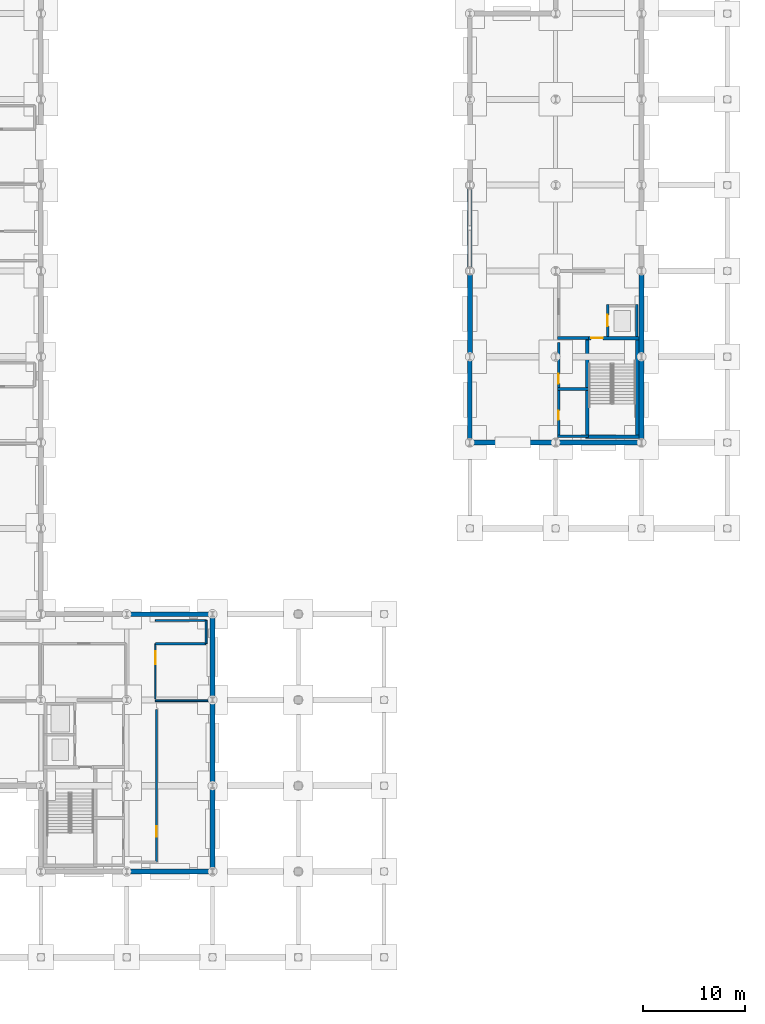
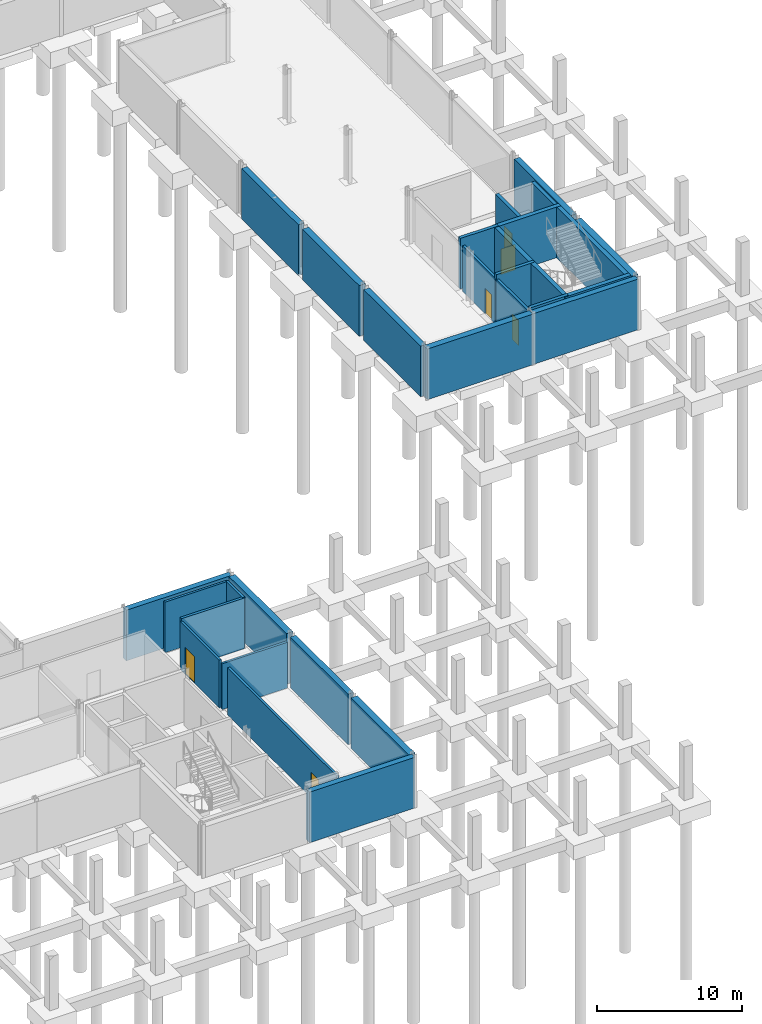
# One storey, part 31 of 43: 29 walls, 6 doors, 6 openings.
"""IFC4 building model written with IfcOpenShell, lengths in metres."""

from ifc_helpers import new_model, si_unit, direction, frame, frame_2d, origin, place, context, subcontext, project, spatial, rectangle, extrude, material, layer, layer_set, type_object, element, fill, save


model = new_model("IFC4")

# Units and contexts
model_context = context("Model", 3, precision=1e-05, world=origin(), true_north=direction((0.0, 1.0)))
body_context = subcontext(model_context, "Body", "Model", "MODEL_VIEW")
ifc_project = project(units=[si_unit("LENGTHUNIT", "METRE"), si_unit("AREAUNIT", "SQUARE_METRE"), si_unit("VOLUMEUNIT", "CUBIC_METRE"), si_unit("PLANEANGLEUNIT", "RADIAN"), si_unit("MASSUNIT", "GRAM", prefix="KILO")], contexts=[model_context])

# Site, building, storey
site_placement = place(None, origin())
site = spatial("IfcSite", under=ifc_project, at=site_placement, CompositionType="ELEMENT")
building_placement = place(site_placement, origin())
building = spatial("IfcBuilding", under=site, at=building_placement, Name="Mersafa Astral City Hall", CompositionType="ELEMENT")
storey_placement = place(building_placement, frame((0.0, 0.0, -4.5)))
storey = spatial("IfcBuildingStorey", under=building, at=storey_placement, Name="B1", CompositionType="ELEMENT", Elevation=-4.5)

# Walls
ifc_material_1 = material(Name="Concrete C40/50", Category="concrete")
ifc_layer_1 = layer(ifc_material_1, 0.449951171875, Name="Concrete C40/50")
ifc_layer_set_1 = layer_set([ifc_layer_1], Name="Concrete C40/50 — ENV-WAL-RET-450")
wall_type_1 = type_object("IfcWallType", Name="ENV-WAL-RET-450", PredefinedType="USERDEFINED", material=ifc_layer_set_1)
wall_1_placement = place(storey_placement, frame((134.39208984375, 33.60009765625, 0.0), z_axis=(0.0, 0.0, 1.0), x_axis=(-1.0, 0.0, 0.0)))
element("IfcWall", 1, at=wall_1_placement, inside=storey, type_object=wall_type_1, Name="B1 Perimeter retaining wall 1", ObjectType="RETAININGWALL", PredefinedType="USERDEFINED", context=body_context, shape_type="SweptSolid", body=[
    extrude(rectangle(XDim=8.384033203125, YDim=0.449951171875, at=frame_2d((4.19189453125, 0.0))), origin(), (0.0, 0.0, 1.0), 4.25),
])
for number, where, z_axis, x_axis, name in (
    (2, (159.60009765625, 75.31494140625, 0.0), (0.0, 0.0, 1.0), (0.0, -1.0, 0.0), "B1 Perimeter retaining wall 25"),
    (3, (159.60009765625, 58.514892578125, 0.0), (0.0, 0.0, 1.0), (0.0, -1.0, 0.0), "B1 Perimeter retaining wall 27"),
):
    element("IfcWall", number, at=place(storey_placement, frame(where, z_axis=z_axis, x_axis=x_axis)), inside=storey, type_object=wall_type_1, Name=name, ObjectType="RETAININGWALL", PredefinedType="USERDEFINED", context=body_context, shape_type="SweptSolid", body=[
        extrude(rectangle(XDim=7.829833984375, YDim=0.449951171875, at=frame_2d((3.9150390625, 0.0))), origin(), (0.0, 0.0, 1.0), 4.25),
    ])
wall_2_placement = place(storey_placement, frame((168.008056640625, 50.39990234375, 0.0), z_axis=(0.0, 0.0, 1.0), x_axis=(1.0, 0.0, 0.0)))
element("IfcWall", 4, at=wall_2_placement, inside=storey, type_object=wall_type_1, Name="B1 Perimeter retaining wall 29", ObjectType="RETAININGWALL", PredefinedType="USERDEFINED", context=body_context, shape_type="SweptSolid", body=[
    extrude(rectangle(XDim=8.384033203125, YDim=0.449951171875, at=frame_2d((4.19189453125, 0.0))), origin(), (0.0, 0.0, 1.0), 4.25),
])
wall_3_placement = place(storey_placement, frame((176.39990234375, 59.0849609375, 0.0), z_axis=(0.0, 0.0, 1.0), x_axis=(0.0, 1.0, 0.0)))
element("IfcWall", 5, at=wall_3_placement, inside=storey, type_object=wall_type_1, Name="B1 Perimeter retaining wall 31", ObjectType="RETAININGWALL", PredefinedType="USERDEFINED", context=body_context, shape_type="SweptSolid", body=[
    extrude(rectangle(XDim=7.830078125, YDim=0.449951171875, at=frame_2d((3.9150390625, 0.0))), origin(), (0.0, 0.0, 1.0), 4.25),
])
wall_4_placement = place(storey_placement, frame((126.008056640625, 8.39990234375, 0.0), z_axis=(0.0, 0.0, 1.0), x_axis=(1.0, 0.0, 0.0)))
element("IfcWall", 6, at=wall_4_placement, inside=storey, type_object=wall_type_1, Name="B1 Perimeter retaining wall 101", ObjectType="RETAININGWALL", PredefinedType="USERDEFINED", context=body_context, shape_type="SweptSolid", body=[
    extrude(rectangle(XDim=8.384033203125, YDim=0.449951171875, at=frame_2d((4.19189453125, 0.0))), origin(), (0.0, 0.0, 1.0), 4.25),
])
wall_5_placement = place(storey_placement, frame((134.39990234375, 17.034912109375, 0.0), z_axis=(0.0, 0.0, 1.0), x_axis=(0.0, 1.0, 0.0)))
element("IfcWall", 7, at=wall_5_placement, inside=storey, type_object=wall_type_1, Name="B1 Perimeter retaining wall 103", ObjectType="RETAININGWALL", PredefinedType="USERDEFINED", context=body_context, shape_type="SweptSolid", body=[
    extrude(rectangle(XDim=7.93017578125, YDim=0.449951171875, at=frame_2d((3.965087890625, 0.0))), origin(), (0.0, 0.0, 1.0), 4.25),
])
ifc_layer_2 = layer(ifc_material_1, 0.5, Name="Concrete C40/50")
ifc_layer_set_2 = layer_set([ifc_layer_2], Name="Concrete C40/50 — ENV-WAL-RET-500")
wall_type_2 = type_object("IfcWallType", Name="ENV-WAL-RET-500", PredefinedType="USERDEFINED", material=ifc_layer_set_2)
wall_6_placement = place(storey_placement, frame((159.60009765625, 66.9150390625, 0.0), z_axis=(0.0, 0.0, 1.0), x_axis=(0.0, -1.0, 0.0)))
element("IfcWall", 8, at=wall_6_placement, inside=storey, type_object=wall_type_2, Name="B1 Perimeter retaining wall 26", ObjectType="RETAININGWALL", PredefinedType="USERDEFINED", context=body_context, shape_type="SweptSolid", body=[
    extrude(rectangle(XDim=7.830078125, YDim=0.5, at=frame_2d((3.9150390625, 0.0))), origin(), (0.0, 0.0, 1.0), 4.25),
])
wall_7_placement = place(storey_placement, frame((159.60791015625, 50.39990234375, 0.0), z_axis=(0.0, 0.0, 1.0), x_axis=(1.0, 0.0, 0.0)))
element("IfcWall", 9, at=wall_7_placement, inside=storey, type_object=wall_type_2, Name="B1 Perimeter retaining wall 28", ObjectType="RETAININGWALL", PredefinedType="USERDEFINED", context=body_context, shape_type="SweptSolid", body=[
    extrude(rectangle(XDim=8.384033203125, YDim=0.5, at=frame_2d((4.19189453125, 0.0))), origin(), (0.0, 0.0, 1.0), 4.25),
])
for number, where, z_axis, x_axis, name in (
    (10, (134.39990234375, 8.635009765625, 0.0), (0.0, 0.0, 1.0), (0.0, 1.0, 0.0), "B1 Perimeter retaining wall 102"),
    (11, (134.39990234375, 25.43505859375, 0.0), (0.0, 0.0, 1.0), (0.0, 1.0, 0.0), "B1 Perimeter retaining wall 104"),
):
    element("IfcWall", number, at=place(storey_placement, frame(where, z_axis=z_axis, x_axis=x_axis)), inside=storey, type_object=wall_type_2, Name=name, ObjectType="RETAININGWALL", PredefinedType="USERDEFINED", context=body_context, shape_type="SweptSolid", body=[
        extrude(rectangle(XDim=7.929931640625, YDim=0.5, at=frame_2d((3.96484375, 0.0))), origin(), (0.0, 0.0, 1.0), 4.25),
    ])
wall_8_placement = place(storey_placement, frame((176.39990234375, 50.68505859375, 0.0), z_axis=(0.0, 0.0, 1.0), x_axis=(0.0, 1.0, 0.0)))
element("IfcWall", 12, at=wall_8_placement, inside=storey, type_object=wall_type_2, Name="B1 Perimeter retaining wall 30", ObjectType="RETAININGWALL", PredefinedType="USERDEFINED", context=body_context, shape_type="SweptSolid", body=[
    extrude(rectangle(XDim=7.829833984375, YDim=0.5, at=frame_2d((3.9150390625, 0.0))), origin(), (0.0, 0.0, 1.0), 4.25),
])
ifc_layer_3 = layer(ifc_material_1, 0.260009765625, Name="Concrete C40/50")
ifc_layer_set_3 = layer_set([ifc_layer_3], Name="Concrete C40/50 — INT-WAL-CORE-260")
wall_type_3 = type_object("IfcWallType", Name="INT-WAL-CORE-260", PredefinedType="SHEAR", material=ifc_layer_set_3)
wall_9_placement = place(storey_placement, frame((175.955078125, 60.797119140625, 0.0), z_axis=(0.0, 0.0, 1.0), x_axis=(0.0, 1.0, 0.0)))
element("IfcWall", 13, at=wall_9_placement, inside=storey, type_object=wall_type_3, Name="B1 Lift LF6 back shaft wall", PredefinedType="SHEAR", context=body_context, shape_type="SweptSolid", body=[
    extrude(rectangle(XDim=3.117919921875, YDim=0.260009765625, at=frame_2d((1.55908203125, 0.0))), origin(), (0.0, 0.0, 1.0), 4.25),
])

# Wall, opening, door
wall_10_placement = place(storey_placement, frame((173.0849609375, 60.797119140625, 0.0), z_axis=(0.0, 0.0, 1.0), x_axis=(0.0, 1.0, 0.0)))
wall_10 = element("IfcWall", 14, at=wall_10_placement, inside=storey, type_object=wall_type_3, Name="B1 Lift LF6 front shaft wall", PredefinedType="SHEAR", context=body_context, shape_type="SweptSolid", body=[
    extrude(rectangle(XDim=3.117919921875, YDim=0.260009765625, at=frame_2d((1.55908203125, 0.0))), origin(), (0.0, 0.0, 1.0), 4.25),
])
opening_1_placement = place(wall_10_placement, frame((1.009033203125, 0.0, 0.0)))
opening_1 = element("IfcOpeningElement", 15, at=opening_1_placement, cuts=wall_10, Name="Opening LD-1", PredefinedType="OPENING", context=body_context, shape_type="SweptSolid", body=[
    extrude(rectangle(XDim=1.10009765625, YDim=2.14990234375, at=frame_2d((0.550048828125, 1.074951171875))), frame((0.0, 0.139892578125, 0.0), z_axis=(0.0, -1.0, 0.0), x_axis=(1.0, 0.0, 0.0)), (0.0, 0.0, 1.0), 0.280029296875),
])
ifc_material_2 = material(Name="Stainless steel sliding lift landing door", Category="steel")
door_type_1 = type_object("IfcDoorType", Name="INT-DR-LIFT-LD1", OperationType="NOTDEFINED", PredefinedType="DOOR", material=ifc_material_2)
door_1_placement = place(opening_1_placement, origin())
door_1 = element("IfcDoor", 16, at=door_1_placement, inside=storey, type_object=door_type_1, Name="Elevator LF6 Sliding Landing Door B1", OperationType="DOUBLE_DOOR_SLIDING", OverallHeight=2.14990234375, OverallWidth=1.10009765625, PredefinedType="DOOR", context=body_context, shape_type="SweptSolid", body=[
    extrude(rectangle(XDim=1.10009765625, YDim=2.14990234375, at=frame_2d((0.550048828125, 1.074951171875))), frame((0.0, 0.02490234375, 0.0), z_axis=(0.0, -1.0, 0.0), x_axis=(1.0, 0.0, 0.0)), (0.0, 0.0, 1.0), 0.050048828125),
])
fill(opening_1, door_1)

# Walls
for number, where, z_axis, x_axis, name in (
    (17, (168.199951171875, 51.02001953125, 0.0), (0.0, 0.0, 1.0), (1.0, 0.0, 0.0), "B1 Core K4 riser south wall"),
    (18, (168.199951171875, 55.635009765625, 0.0), (0.0, 0.0, 1.0), (1.0, 0.0, 0.0), "B1 Core K4 riser-restroom divider wall"),
    (19, (168.199951171875, 60.635009765625, 0.0), (0.0, 0.0, 1.0), (1.0, 0.0, 0.0), "B1 Core K4 restroom-lobby divider wall"),
):
    element("IfcWall", number, at=place(storey_placement, frame(where, z_axis=z_axis, x_axis=x_axis)), inside=storey, type_object=wall_type_3, Name=name, PredefinedType="SHEAR", context=body_context, shape_type="SweptSolid", body=[
        extrude(rectangle(XDim=3.03515625, YDim=0.260009765625, at=frame_2d((1.517578125, 0.0))), origin(), (0.0, 0.0, 1.0), 4.25),
    ])
ifc_layer_4 = layer(ifc_material_1, 0.340087890625, Name="Concrete C40/50")
ifc_layer_set_4 = layer_set([ifc_layer_4], Name="Concrete C40/50 — INT-WAL-CORE-340")
wall_type_4 = type_object("IfcWallType", Name="INT-WAL-CORE-340", PredefinedType="SHEAR", material=ifc_layer_set_4)
for number, where, z_axis, x_axis, name in (
    (20, (171.0849609375, 50.804931640625, 0.0), (0.0, 0.0, 1.0), (0.0, 1.0, 0.0), "B1 Core K4 stair west shear wall"),
    (21, (175.9951171875, 50.804931640625, 0.0), (0.0, 0.0, 1.0), (0.0, 1.0, 0.0), "B1 Core K4 stair east shear wall"),
):
    element("IfcWall", number, at=place(storey_placement, frame(where, z_axis=z_axis, x_axis=x_axis)), inside=storey, type_object=wall_type_4, Name=name, PredefinedType="SHEAR", context=body_context, shape_type="SweptSolid", body=[
        extrude(rectangle(XDim=9.989990234375, YDim=0.340087890625, at=frame_2d((4.9951171875, 0.0))), origin(), (0.0, 0.0, 1.0), 4.25),
    ])
wall_11_placement = place(storey_placement, frame((170.9150390625, 50.97509765625, 0.0), z_axis=(0.0, 0.0, 1.0), x_axis=(1.0, 0.0, 0.0)))
element("IfcWall", 22, at=wall_11_placement, inside=storey, type_object=wall_type_4, Name="B1 Core K4 stair south shear wall", PredefinedType="SHEAR", context=body_context, shape_type="SweptSolid", body=[
    extrude(rectangle(XDim=5.25, YDim=0.340087890625, at=frame_2d((2.625, 0.0))), origin(), (0.0, 0.0, 1.0), 4.25),
])

# Wall, opening, door
wall_12_placement = place(storey_placement, frame((170.9150390625, 60.625, 0.0), z_axis=(0.0, 0.0, 1.0), x_axis=(1.0, 0.0, 0.0)))
wall_12 = element("IfcWall", 23, at=wall_12_placement, inside=storey, type_object=wall_type_4, Name="B1 Core K4 stair-lobby fire wall", PredefinedType="SHEAR", context=body_context, shape_type="SweptSolid", body=[
    extrude(rectangle(XDim=5.25, YDim=0.340087890625, at=frame_2d((2.625, 0.0))), origin(), (0.0, 0.0, 1.0), 4.25),
])
opening_2_placement = place(wall_12_placement, frame((0.56494140625, 0.0, 0.0)))
opening_2 = element("IfcOpeningElement", 24, at=opening_2_placement, cuts=wall_12, Name="Opening CD-1", PredefinedType="OPENING", context=body_context, shape_type="SweptSolid", body=[
    extrude(rectangle(XDim=1.14990234375, YDim=2.14990234375, at=frame_2d((0.574951171875, 1.074951171875))), frame((0.0, 0.179931640625, 0.0), z_axis=(0.0, -1.0, 0.0), x_axis=(1.0, 0.0, 0.0)), (0.0, 0.0, 1.0), 0.360107421875),
])
ifc_material_3 = material(Name="Fire-rated steel stair door", Category="steel")
door_type_2 = type_object("IfcDoorType", Name="INT-DR-STAIR-FD90-1150", OperationType="NOTDEFINED", PredefinedType="DOOR", material=ifc_material_3)
door_2_placement = place(opening_2_placement, origin())
door_2 = element("IfcDoor", 25, at=door_2_placement, inside=storey, type_object=door_type_2, Name="B1 Protected Stair ST4 Door", OperationType="SINGLE_SWING_LEFT", OverallHeight=2.14990234375, OverallWidth=1.14990234375, PredefinedType="DOOR", context=body_context, shape_type="SweptSolid", body=[
    extrude(rectangle(XDim=1.14990234375, YDim=2.14990234375, at=frame_2d((0.574951171875, 1.074951171875))), frame((0.0, 0.02490234375, 0.0), z_axis=(0.0, -1.0, 0.0), x_axis=(1.0, 0.0, 0.0)), (0.0, 0.0, 1.0), 0.050048828125),
])
fill(opening_2, door_2)

ifc_material_4 = material(Name="Fire-rated gypsum stud partition", Category="gypsum")
ifc_layer_5 = layer(ifc_material_4, 0.1650390625, Name="Fire-rated gypsum stud partition")
ifc_layer_set_5 = layer_set([ifc_layer_5], Name="Fire-rated gypsum stud partition — INT-WAL-PART-EI60-165")
wall_type_5 = type_object("IfcWallType", Name="INT-WAL-PART-EI60-165", PredefinedType="STANDARD", material=ifc_layer_set_5)
wall_13_placement = place(storey_placement, frame((128.800048828125, 25.2900390625, -0.00390625), z_axis=(0.0, 0.0, 1.0), x_axis=(0.0, 1.0, 0.0)))
wall_13 = element("IfcWall", 26, at=wall_13_placement, inside=storey, type_object=wall_type_5, Name="B1 Interior partition wall 99", PredefinedType="STANDARD", context=body_context, shape_type="SweptSolid", body=[
    extrude(rectangle(XDim=5.409912109375, YDim=0.1650390625, at=frame_2d((2.705078125, 0.0))), origin(), (0.0, 0.0, 1.0), 4.015869140625),
])
opening_3_placement = place(wall_13_placement, frame((3.41748046875, 0.0, 0.014892578125)))
opening_3 = element("IfcOpeningElement", 27, at=opening_3_placement, cuts=wall_13, Name="Opening D-24", PredefinedType="OPENING", context=body_context, shape_type="SweptSolid", body=[
    extrude(rectangle(XDim=1.280029296875, YDim=2.219970703125, at=frame_2d((0.64013671875, 1.10986328125))), frame((0.0, 0.092529296875, 0.0), z_axis=(0.0, -1.0, 0.0), x_axis=(1.0, 0.0, 0.0)), (0.0, 0.0, 1.0), 0.18505859375),
])
ifc_material_5 = material(Name="Cedar veneered acoustic fire-rated timber door", Category="wood")
door_type_3 = type_object("IfcDoorType", Name="INT-DR-RM-D-24", OperationType="NOTDEFINED", PredefinedType="DOOR", material=ifc_material_5)
door_3_placement = place(opening_3_placement, origin())
door_3 = element("IfcDoor", 28, at=door_3_placement, inside=storey, type_object=door_type_3, Name="B1 Municipal Records Conservation Workshop B1-23 Entrance Door", OperationType="SINGLE_SWING_RIGHT", OverallHeight=2.219970703125, OverallWidth=1.280029296875, PredefinedType="DOOR", context=body_context, shape_type="SweptSolid", body=[
    extrude(rectangle(XDim=1.280029296875, YDim=2.219970703125, at=frame_2d((0.64013671875, 1.10986328125))), frame((0.0, 0.02490234375, 0.0), z_axis=(0.0, -1.0, 0.0), x_axis=(1.0, 0.0, 0.0)), (0.0, 0.0, 1.0), 0.050048828125),
])
fill(opening_3, door_3)

# Walls
ifc_material_6 = material(Name="Acoustic twin-stud gypsum partition", Category="gypsum")
ifc_layer_6 = layer(ifc_material_6, 0.179931640625, Name="Acoustic twin-stud gypsum partition")
ifc_layer_set_6 = layer_set([ifc_layer_6], Name="Acoustic twin-stud gypsum partition — INT-WAL-PART-EI60-180")
wall_type_6 = type_object("IfcWallType", Name="INT-WAL-PART-EI60-180", PredefinedType="STANDARD", material=ifc_layer_set_6)
wall_14_placement = place(storey_placement, frame((128.800048828125, 25.110107421875, -0.00390625), z_axis=(0.0, 0.0, 1.0), x_axis=(1.0, 0.0, 0.0)))
element("IfcWall", 29, at=wall_14_placement, inside=storey, type_object=wall_type_6, Name="B1 Interior partition wall 66", PredefinedType="STANDARD", context=body_context, shape_type="SweptSolid", body=[
    extrude(rectangle(XDim=5.179931640625, YDim=0.179931640625, at=frame_2d((2.58984375, 0.0))), origin(), (0.0, 0.0, 1.0), 3.845947265625),
])
wall_15_placement = place(storey_placement, frame((133.780029296875, 32.97998046875, -0.00390625), z_axis=(0.0, 0.0, 1.0), x_axis=(-1.0, 0.0, 0.0)))
element("IfcWall", 30, at=wall_15_placement, inside=storey, type_object=wall_type_6, Name="B1 Interior partition wall 102", PredefinedType="STANDARD", context=body_context, shape_type="SweptSolid", body=[
    extrude(rectangle(XDim=4.97998046875, YDim=0.179931640625, at=frame_2d((2.489990234375, 0.0))), origin(), (0.0, 0.0, 1.0), 4.25390625),
])

# Wall, opening, door
ifc_layer_7 = layer(ifc_material_6, 0.195068359375, Name="Acoustic twin-stud gypsum partition")
ifc_layer_set_7 = layer_set([ifc_layer_7], Name="Acoustic twin-stud gypsum partition — INT-WAL-PART-EI60-195")
wall_type_7 = type_object("IfcWallType", Name="INT-WAL-PART-EI60-195", PredefinedType="STANDARD", material=ifc_layer_set_7)
wall_16_placement = place(storey_placement, frame((128.89990234375, 9.320068359375, -0.00390625), z_axis=(0.0, 0.0, 1.0), x_axis=(0.0, 1.0, 0.0)))
wall_16 = element("IfcWall", 31, at=wall_16_placement, inside=storey, type_object=wall_type_7, Name="B1 Interior partition wall 65", PredefinedType="STANDARD", context=body_context, shape_type="SweptSolid", body=[
    extrude(rectangle(XDim=14.9599609375, YDim=0.195068359375, at=frame_2d((7.47998046875, 0.0))), origin(), (0.0, 0.0, 1.0), 3.9658203125),
])
opening_4_placement = place(wall_16_placement, frame((2.471923828125, 0.0, 0.014892578125)))
opening_4 = element("IfcOpeningElement", 32, at=opening_4_placement, cuts=wall_16, Name="Opening D-12", PredefinedType="OPENING", context=body_context, shape_type="SweptSolid", body=[
    extrude(rectangle(XDim=1.0400390625, YDim=2.139892578125, at=frame_2d((0.52001953125, 1.06982421875))), frame((0.0, 0.107421875, 0.0), z_axis=(0.0, -1.0, 0.0), x_axis=(1.0, 0.0, 0.0)), (0.0, 0.0, 1.0), 0.215087890625),
])
door_type_4 = type_object("IfcDoorType", Name="INT-DR-RM-D-12", OperationType="NOTDEFINED", PredefinedType="DOOR", material=ifc_material_5)
door_4_placement = place(opening_4_placement, origin())
door_4 = element("IfcDoor", 33, at=door_4_placement, inside=storey, type_object=door_type_4, Name="B1 Municipal Records Conservation Workshop B1-11 Entrance Door", OperationType="SINGLE_SWING_RIGHT", OverallHeight=2.139892578125, OverallWidth=1.0400390625, PredefinedType="DOOR", context=body_context, shape_type="SweptSolid", body=[
    extrude(rectangle(XDim=1.0400390625, YDim=2.139892578125, at=frame_2d((0.52001953125, 1.06982421875))), frame((0.0, 0.02490234375, 0.0), z_axis=(0.0, -1.0, 0.0), x_axis=(1.0, 0.0, 0.0)), (0.0, 0.0, 1.0), 0.050048828125),
])
fill(opening_4, door_4)

# Wall
wall_17_placement = place(storey_placement, frame((133.780029296875, 30.699951171875, -0.00390625), z_axis=(0.0, 0.0, 1.0), x_axis=(0.0, 1.0, 0.0)))
element("IfcWall", 34, at=wall_17_placement, inside=storey, type_object=wall_type_7, Name="B1 Interior partition wall 101", PredefinedType="STANDARD", context=body_context, shape_type="SweptSolid", body=[
    extrude(rectangle(XDim=2.280029296875, YDim=0.195068359375, at=frame_2d((1.14013671875, 0.0))), origin(), (0.0, 0.0, 1.0), 4.25390625),
])

# Wall, opening, door
ifc_material_7 = material(Name="Autoclaved aerated concrete blockwork plastered", Category="masonry")
ifc_layer_8 = layer(ifc_material_7, 0.2099609375, Name="Autoclaved aerated concrete blockwork plastered")
ifc_layer_set_8 = layer_set([ifc_layer_8], Name="Autoclaved aerated concrete blockwork plastered — INT-WAL-PART-EI60-210")
wall_type_8 = type_object("IfcWallType", Name="INT-WAL-PART-EI60-210", PredefinedType="STANDARD", material=ifc_layer_set_8)
wall_18_placement = place(storey_placement, frame((168.300048828125, 51.02001953125, 0.0), z_axis=(0.0, 0.0, 1.0), x_axis=(0.0, 1.0, 0.0)))
wall_18 = element("IfcWall", 35, at=wall_18_placement, inside=storey, type_object=wall_type_8, Name="B1 Core K4 riser corridor partition", PredefinedType="STANDARD", context=body_context, shape_type="SweptSolid", body=[
    extrude(rectangle(XDim=4.590087890625, YDim=0.2099609375, at=frame_2d((2.294921875, 0.0))), origin(), (0.0, 0.0, 1.0), 3.83203125),
])
opening_5_placement = place(wall_18_placement, frame((1.60009765625, 0.0, 0.0)))
opening_5 = element("IfcOpeningElement", 36, at=opening_5_placement, cuts=wall_18, Name="Opening CD-5", PredefinedType="OPENING", context=body_context, shape_type="SweptSolid", body=[
    extrude(rectangle(XDim=0.89990234375, YDim=2.10009765625, at=frame_2d((0.449951171875, 1.050048828125))), frame((0.0, 0.114990234375, 0.0), z_axis=(0.0, -1.0, 0.0), x_axis=(1.0, 0.0, 0.0)), (0.0, 0.0, 1.0), 0.22998046875),
])
ifc_material_8 = material(Name="Fire-rated steel riser access door", Category="steel")
door_type_5 = type_object("IfcDoorType", Name="INT-DR-RISER-FD60-900", OperationType="NOTDEFINED", PredefinedType="DOOR", material=ifc_material_8)
door_5_placement = place(opening_5_placement, origin())
door_5 = element("IfcDoor", 37, at=door_5_placement, inside=storey, type_object=door_type_5, Name="B1 K4 MEP Riser Access Door", OperationType="SINGLE_SWING_LEFT", OverallHeight=2.10009765625, OverallWidth=0.89990234375, PredefinedType="DOOR", context=body_context, shape_type="SweptSolid", body=[
    extrude(rectangle(XDim=0.89990234375, YDim=2.10009765625, at=frame_2d((0.449951171875, 1.050048828125))), frame((0.0, 0.02490234375, 0.0), z_axis=(0.0, -1.0, 0.0), x_axis=(1.0, 0.0, 0.0)), (0.0, 0.0, 1.0), 0.050048828125),
])
fill(opening_5, door_5)

wall_19_placement = place(storey_placement, frame((168.300048828125, 55.719970703125, 0.0), z_axis=(0.0, 0.0, 1.0), x_axis=(0.0, 1.0, 0.0)))
wall_19 = element("IfcWall", 38, at=wall_19_placement, inside=storey, type_object=wall_type_8, Name="B1 Core K4 accessible WC corridor partition", PredefinedType="STANDARD", context=body_context, shape_type="SweptSolid", body=[
    extrude(rectangle(XDim=4.47998046875, YDim=0.2099609375, at=frame_2d((2.239990234375, 0.0))), origin(), (0.0, 0.0, 1.0), 3.83203125),
])
opening_6_placement = place(wall_19_placement, frame((0.449951171875, 0.0, 0.0)))
opening_6 = element("IfcOpeningElement", 39, at=opening_6_placement, cuts=wall_19, Name="Opening CD-4", PredefinedType="OPENING", context=body_context, shape_type="SweptSolid", body=[
    extrude(rectangle(XDim=0.949951171875, YDim=2.14990234375, at=frame_2d((0.47509765625, 1.074951171875))), frame((0.0, 0.114990234375, 0.0), z_axis=(0.0, -1.0, 0.0), x_axis=(1.0, 0.0, 0.0)), (0.0, 0.0, 1.0), 0.22998046875),
])
ifc_material_9 = material(Name="Accessible timber acoustic WC door", Category="wood")
door_type_6 = type_object("IfcDoorType", Name="INT-DR-WC-FD30-950", OperationType="NOTDEFINED", PredefinedType="DOOR", material=ifc_material_9)
door_6_placement = place(opening_6_placement, origin())
door_6 = element("IfcDoor", 40, at=door_6_placement, inside=storey, type_object=door_type_6, Name="B1 K4 Accessible Restroom Door", OperationType="SINGLE_SWING_RIGHT", OverallHeight=2.14990234375, OverallWidth=0.949951171875, PredefinedType="DOOR", context=body_context, shape_type="SweptSolid", body=[
    extrude(rectangle(XDim=0.949951171875, YDim=2.14990234375, at=frame_2d((0.47509765625, 1.074951171875))), frame((0.0, 0.02490234375, 0.0), z_axis=(0.0, -1.0, 0.0), x_axis=(1.0, 0.0, 0.0)), (0.0, 0.0, 1.0), 0.050048828125),
])
fill(opening_6, door_6)

# Wall
wall_20_placement = place(storey_placement, frame((128.800048828125, 30.699951171875, -0.00390625), z_axis=(0.0, 0.0, 1.0), x_axis=(1.0, 0.0, 0.0)))
element("IfcWall", 41, at=wall_20_placement, inside=storey, type_object=wall_type_8, Name="B1 Interior partition wall 100", PredefinedType="STANDARD", context=body_context, shape_type="SweptSolid", body=[
    extrude(rectangle(XDim=4.97998046875, YDim=0.2099609375, at=frame_2d((2.489990234375, 0.0))), origin(), (0.0, 0.0, 1.0), 4.25390625),
])

save(model, "model.ifc")
